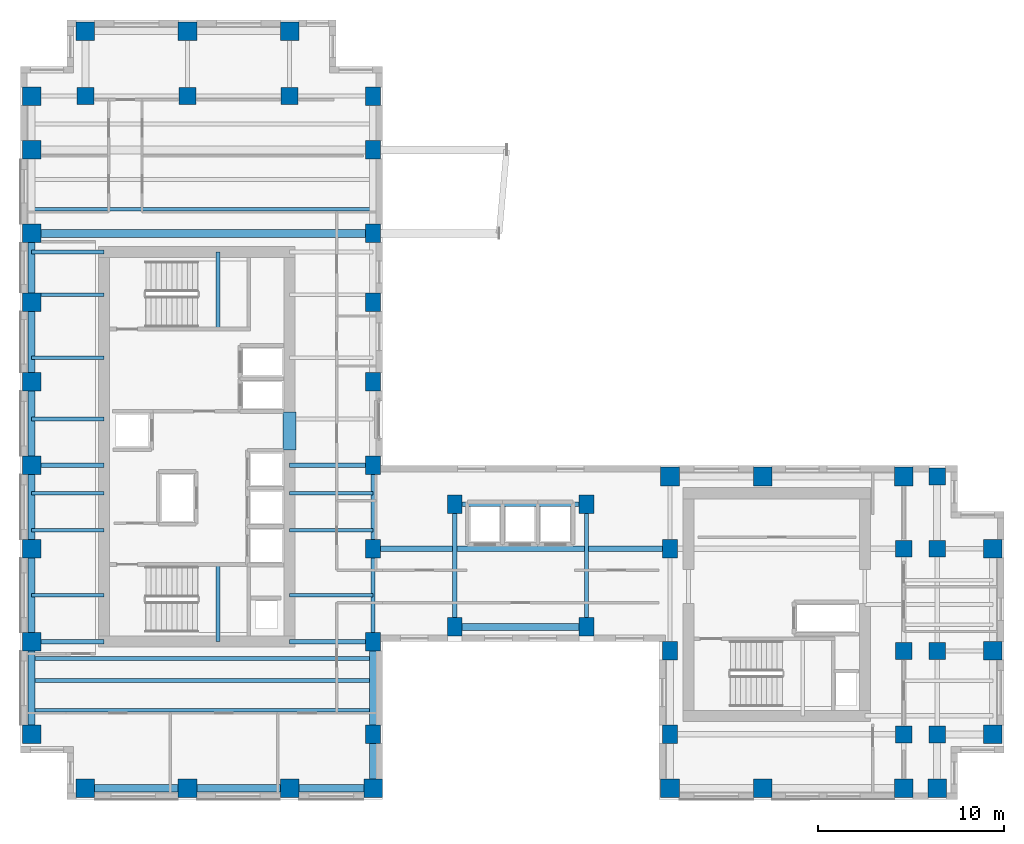
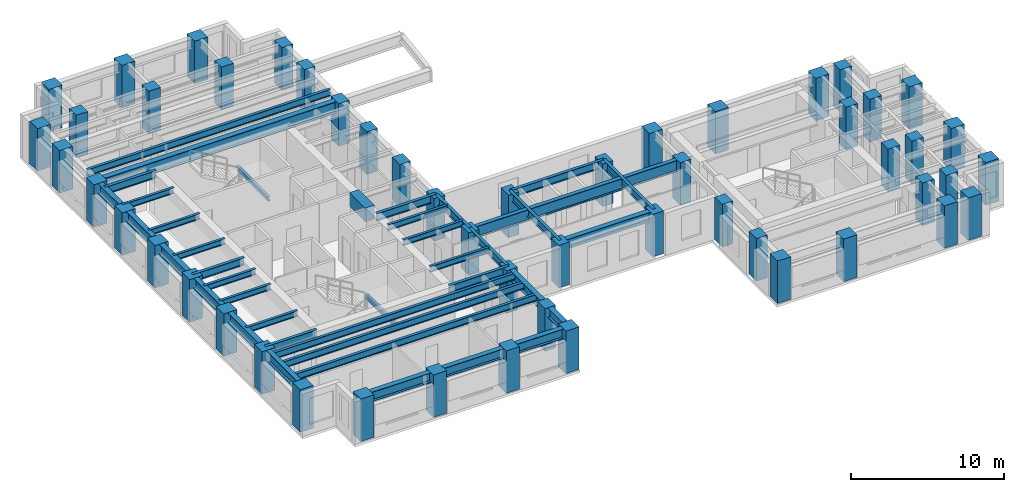
# One storey, part 1 of 14: 52 columns, 40 beams.
"""IFC4 building model written with IfcOpenShell, lengths in metres."""

from ifc_helpers import new_model, si_unit, direction, frame, origin, origin_2d, place, context, subcontext, project, spatial, rectangle, i_section, extrude, source, transform, mapped, material, material_profile, profile_set, type_object, element, save


model = new_model("IFC4")

# Units and contexts
model_context = context("Model", 3, precision=1e-05, world=origin(), true_north=direction((0.0, 1.0)))
body_context = subcontext(model_context, "Body", "Model", "MODEL_VIEW")
ifc_project = project(units=[si_unit("LENGTHUNIT", "METRE"), si_unit("AREAUNIT", "SQUARE_METRE"), si_unit("VOLUMEUNIT", "CUBIC_METRE"), si_unit("PLANEANGLEUNIT", "RADIAN"), si_unit("MASSUNIT", "GRAM", prefix="KILO")], contexts=[model_context])

# Site, building, storey
site_placement = place(None, origin())
site = spatial("IfcSite", under=ifc_project, at=site_placement, CompositionType="ELEMENT")
building_placement = place(site_placement, origin())
building = spatial("IfcBuilding", under=site, at=building_placement, Name="Kharzan Plaza Tower", CompositionType="ELEMENT")
storey_placement = place(building_placement, frame((0.0, 0.0, 168.300048828125)))
storey = spatial("IfcBuildingStorey", under=building, at=storey_placement, Name="L45", CompositionType="ELEMENT", Elevation=168.300048828125)

# Columns
ifc_material_1 = material(Name="Concrete C50/60", Category="concrete")
ifc_material_profile_1 = material_profile(ifc_material_1, rectangle(XDim=0.89990234375, YDim=0.89990234375, at=origin_2d()), Name="RC-IC900x900")
ifc_profile_set_1 = profile_set([ifc_material_profile_1], Name="Concrete C50/60")
column_type_1 = type_object("IfcColumnType", Name="COL-IC900", PredefinedType="COLUMN", material=ifc_profile_set_1)
shared_shape_1 = source(origin(), body_context, "Body", "SweptSolid", [
    extrude(rectangle(XDim=0.89990234375, YDim=0.89990234375, at=origin_2d()), origin(), (0.0, 0.0, 1.0), 3.39990234375),
])
for number, where, z_axis, x_axis, name in (
    (1, (47.60009765625, 13.5, 0.0), (0.0, 0.0, 1.0), (1.0, 0.0, 0.0), "L45 Structural Column TCBI-135"),
    (2, (47.60009765625, 3.5, 0.0), (0.0, 0.0, 1.0), (1.0, 0.0, 0.0), "L45 Structural Column TCBI-35"),
    (3, (47.60009765625, 8.0, 0.0), (0.0, 0.0, 1.0), (1.0, 0.0, 0.0), "L45 Structural Column TCBI-80"),
    (4, (49.39990234375, 13.5, 0.0), (0.0, 0.0, 1.0), (1.0, 0.0, 0.0), "L45 Structural Column TCE-494-135"),
    (5, (49.39990234375, 17.39990234375, 0.0), (0.0, 0.0, 1.0), (1.0, 0.0, 0.0), "L45 Structural Column TCE-494-174"),
    (6, (49.39990234375, 3.5, 0.0), (0.0, 0.0, 1.0), (1.0, 0.0, 0.0), "L45 Structural Column TCE-494-35"),
    (7, (49.39990234375, 8.0, 0.0), (0.0, 0.0, 1.0), (1.0, 0.0, 0.0), "L45 Structural Column TCE-494-80"),
    (8, (14.5, 37.89990234375, 0.0), (0.0, 0.0, 1.0), (1.0, 0.0, 0.0), "L45 Structural Column TCN-145-379"),
    (9, (3.5, 37.89990234375, 0.0), (0.0, 0.0, 1.0), (1.0, 0.0, 0.0), "L45 Structural Column TCN-35-379"),
    (10, (9.0, 37.89990234375, 0.0), (0.0, 0.0, 1.0), (1.0, 0.0, 0.0), "L45 Structural Column TCN-90-379"),
):
    element("IfcColumn", number, at=place(storey_placement, frame(where, z_axis=z_axis, x_axis=x_axis)), inside=storey, type_object=column_type_1, Name=name, PredefinedType="COLUMN", context=body_context, shape_type="MappedRepresentation", body=[
        mapped(shared_shape_1, transform((0.0, 0.0, 0.0), x_axis=(1.0, 0.0, 0.0), y_axis=(0.0, 1.0, 0.0), z_axis=(0.0, 0.0, 1.0))),
    ])
ifc_material_profile_2 = material_profile(ifc_material_1, rectangle(XDim=0.800048828125, YDim=1.0, at=origin_2d()), Name="RC-SC1000x800")
ifc_profile_set_2 = profile_set([ifc_material_profile_2], Name="Concrete C50/60")
column_type_2 = type_object("IfcColumnType", Name="COL-SC1000", PredefinedType="COLUMN", material=ifc_profile_set_2)
shared_shape_2 = source(origin(), body_context, "Body", "SweptSolid", [
    extrude(rectangle(XDim=0.800048828125, YDim=1.0, at=origin_2d()), origin(), (0.0, 0.0, 1.0), 3.39990234375),
])
for number, where, z_axis, x_axis, name in (
    (11, (19.0, 13.5, 0.0), (0.0, 0.0, 1.0), (1.0, 0.0, 0.0), "L45 Structural Column TCA-135"),
    (12, (19.0, 18.0, 0.0), (0.0, 0.0, 1.0), (1.0, 0.0, 0.0), "L45 Structural Column TCA-180"),
    (13, (19.0, 22.5, 0.0), (0.0, 0.0, 1.0), (1.0, 0.0, 0.0), "L45 Structural Column TCA-225"),
    (14, (19.0, 26.800048828125, 0.0), (0.0, 0.0, 1.0), (1.0, 0.0, 0.0), "L45 Structural Column TCA-268"),
    (15, (19.0, 30.5, 0.0), (0.0, 0.0, 1.0), (1.0, 0.0, 0.0), "L45 Structural Column TCA-305"),
    (16, (19.0, 3.5, 0.0), (0.0, 0.0, 1.0), (1.0, 0.0, 0.0), "L45 Structural Column TCA-35"),
    (17, (19.0, 35.0, 0.0), (0.0, 0.0, 1.0), (1.0, 0.0, 0.0), "L45 Structural Column TCA-350"),
    (18, (19.0, 37.89990234375, 0.0), (0.0, 0.0, 1.0), (1.0, 0.0, 0.0), "L45 Structural Column TCA-379"),
    (19, (19.0, 8.5, 0.0), (0.0, 0.0, 1.0), (1.0, 0.0, 0.0), "L45 Structural Column TCA-85"),
    (20, (35.0, 13.5, 0.0), (0.0, 0.0, 1.0), (1.0, 0.0, 0.0), "L45 Structural Column TCBS-135"),
    (21, (35.0, 3.5, 0.0), (0.0, 0.0, 1.0), (1.0, 0.0, 0.0), "L45 Structural Column TCBS-35"),
    (22, (35.0, 8.0, 0.0), (0.0, 0.0, 1.0), (1.0, 0.0, 0.0), "L45 Structural Column TCBS-80"),
    (23, (23.39990234375, 15.89990234375, 0.0), (0.0, 0.0, 1.0), (1.0, 0.0, 0.0), "L45 Structural Column TCSP-234-159"),
    (24, (23.39990234375, 9.300048828125, 0.0), (0.0, 0.0, 1.0), (1.0, 0.0, 0.0), "L45 Structural Column TCSP-234-93"),
    (25, (30.5, 15.89990234375, 0.0), (0.0, 0.0, 1.0), (1.0, 0.0, 0.0), "L45 Structural Column TCSP-305-159"),
    (26, (30.5, 9.300048828125, 0.0), (0.0, 0.0, 1.0), (1.0, 0.0, 0.0), "L45 Structural Column TCSP-305-93"),
):
    element("IfcColumn", number, at=place(storey_placement, frame(where, z_axis=z_axis, x_axis=x_axis)), inside=storey, type_object=column_type_2, Name=name, PredefinedType="COLUMN", context=body_context, shape_type="MappedRepresentation", body=[
        mapped(shared_shape_2, transform((0.0, 0.0, 0.0), x_axis=(1.0, 0.0, 0.0), y_axis=(0.0, 1.0, 0.0), z_axis=(0.0, 0.0, 1.0))),
    ])
ifc_material_profile_3 = material_profile(ifc_material_1, rectangle(XDim=1.0, YDim=1.0, at=origin_2d()), Name="RC-TC1000x1000")
ifc_profile_set_3 = profile_set([ifc_material_profile_3], Name="Concrete C50/60")
column_type_3 = type_object("IfcColumnType", Name="COL-TC1000", PredefinedType="COLUMN", material=ifc_profile_set_3)
shared_shape_3 = source(origin(), body_context, "Body", "SweptSolid", [
    extrude(rectangle(XDim=1.0, YDim=1.0, at=origin_2d()), origin(), (0.0, 0.0, 1.0), 3.39990234375),
])
for number, where, z_axis, x_axis, name in (
    (27, (35.0, 17.39990234375, 0.0), (0.0, 0.0, 1.0), (1.0, 0.0, 0.0), "L45 Structural Column TCBN-350-174"),
    (28, (40.0, 17.39990234375, 0.0), (0.0, 0.0, 1.0), (1.0, 0.0, 0.0), "L45 Structural Column TCBN-400-174"),
    (29, (47.60009765625, 17.39990234375, 0.0), (0.0, 0.0, 1.0), (1.0, 0.0, 0.0), "L45 Structural Column TCBN-476-174"),
    (30, (52.39990234375, 13.5, 0.0), (0.0, 0.0, 1.0), (1.0, 0.0, 0.0), "L45 Structural Column TCE-524-135"),
    (31, (52.39990234375, 3.5, 0.0), (0.0, 0.0, 1.0), (1.0, 0.0, 0.0), "L45 Structural Column TCE-524-35"),
    (32, (52.39990234375, 8.0, 0.0), (0.0, 0.0, 1.0), (1.0, 0.0, 0.0), "L45 Structural Column TCE-524-80"),
    (33, (14.5, 41.39990234375, 0.0), (0.0, 0.0, 1.0), (1.0, 0.0, 0.0), "L45 Structural Column TCN-145-414"),
    (34, (3.5, 41.39990234375, 0.0), (0.0, 0.0, 1.0), (1.0, 0.0, 0.0), "L45 Structural Column TCN-35-414"),
    (35, (9.0, 41.39990234375, 0.0), (0.0, 0.0, 1.0), (1.0, 0.0, 0.0), "L45 Structural Column TCN-90-414"),
    (36, (14.5, 0.60009765625, 0.0), (0.0, 0.0, 1.0), (1.0, 0.0, 0.0), "L45 Structural Column TCS-145"),
    (37, (19.0, 0.60009765625, 0.0), (0.0, 0.0, 1.0), (1.0, 0.0, 0.0), "L45 Structural Column TCS-190"),
    (38, (3.5, 0.60009765625, 0.0), (0.0, 0.0, 1.0), (1.0, 0.0, 0.0), "L45 Structural Column TCS-35"),
    (39, (35.0, 0.60009765625, 0.0), (0.0, 0.0, 1.0), (1.0, 0.0, 0.0), "L45 Structural Column TCS-350"),
    (40, (40.0, 0.60009765625, 0.0), (0.0, 0.0, 1.0), (1.0, 0.0, 0.0), "L45 Structural Column TCS-400"),
    (41, (47.60009765625, 0.60009765625, 0.0), (0.0, 0.0, 1.0), (1.0, 0.0, 0.0), "L45 Structural Column TCS-476"),
    (42, (49.39990234375, 0.60009765625, 0.0), (0.0, 0.0, 1.0), (1.0, 0.0, 0.0), "L45 Structural Column TCS-494"),
    (43, (9.0, 0.60009765625, 0.0), (0.0, 0.0, 1.0), (1.0, 0.0, 0.0), "L45 Structural Column TCS-90"),
    (44, (0.60009765625, 13.5, 0.0), (0.0, 0.0, 1.0), (1.0, 0.0, 0.0), "L45 Structural Column TCW-135"),
    (45, (0.60009765625, 18.0, 0.0), (0.0, 0.0, 1.0), (1.0, 0.0, 0.0), "L45 Structural Column TCW-180"),
    (46, (0.60009765625, 22.5, 0.0), (0.0, 0.0, 1.0), (1.0, 0.0, 0.0), "L45 Structural Column TCW-225"),
    (47, (0.60009765625, 26.800048828125, 0.0), (0.0, 0.0, 1.0), (1.0, 0.0, 0.0), "L45 Structural Column TCW-268"),
    (48, (0.60009765625, 30.5, 0.0), (0.0, 0.0, 1.0), (1.0, 0.0, 0.0), "L45 Structural Column TCW-305"),
    (49, (0.60009765625, 3.5, 0.0), (0.0, 0.0, 1.0), (1.0, 0.0, 0.0), "L45 Structural Column TCW-35"),
    (50, (0.60009765625, 35.0, 0.0), (0.0, 0.0, 1.0), (1.0, 0.0, 0.0), "L45 Structural Column TCW-350"),
    (51, (0.60009765625, 37.89990234375, 0.0), (0.0, 0.0, 1.0), (1.0, 0.0, 0.0), "L45 Structural Column TCW-379"),
    (52, (0.60009765625, 8.5, 0.0), (0.0, 0.0, 1.0), (1.0, 0.0, 0.0), "L45 Structural Column TCW-85"),
):
    element("IfcColumn", number, at=place(storey_placement, frame(where, z_axis=z_axis, x_axis=x_axis)), inside=storey, type_object=column_type_3, Name=name, PredefinedType="COLUMN", context=body_context, shape_type="MappedRepresentation", body=[
        mapped(shared_shape_3, transform((0.0, 0.0, 0.0), x_axis=(1.0, 0.0, 0.0), y_axis=(0.0, 1.0, 0.0), z_axis=(0.0, 0.0, 1.0))),
    ])

# Beams
ifc_material_2 = material(Name="Concrete C60/75", Category="concrete")
ifc_material_profile_4 = material_profile(ifc_material_2, rectangle(XDim=0.699951171875, YDim=1.10009765625, at=origin_2d()), Name="RC-CB1100x700")
ifc_profile_set_4 = profile_set([ifc_material_profile_4], Name="Concrete C60/75")
beam_type_1 = type_object("IfcBeamType", Name="BM-RCCB1100", PredefinedType="LINTEL", material=ifc_profile_set_4)
shared_shape_4 = source(origin(), body_context, "Body", "SweptSolid", [
    extrude(rectangle(XDim=0.699951171875, YDim=1.10009765625, at=origin_2d()), origin(), (0.0, 0.0, 1.0), 2.059814453125),
])
beam_1_placement = place(storey_placement, frame((14.5, 18.820068359375, 2.849853515625), z_axis=(0.0, 1.0, 0.0), x_axis=(-1.0, 0.0, 0.0)))
element("IfcBeam", 53, at=beam_1_placement, inside=storey, type_object=beam_type_1, Name="L45 CORE-A RC coupling beam CB1", PredefinedType="LINTEL", context=body_context, shape_type="MappedRepresentation", body=[
    mapped(shared_shape_4, transform((0.0, 0.0, 0.0), x_axis=(1.0, 0.0, 0.0), y_axis=(0.0, 1.0, 0.0), z_axis=(0.0, 0.0, 1.0))),
])
ifc_material_3 = material(Name="Steel S355", Category="steel")
ifc_material_profile_5 = material_profile(ifc_material_3, i_section(OverallWidth=0.205078125, OverallDepth=0.35400390625, WebThickness=0.009521484375, FlangeThickness=0.016845703125, at=origin_2d()), Name="W360x79")
ifc_profile_set_5 = profile_set([ifc_material_profile_5], Name="Steel S355")
beam_type_2 = type_object("IfcBeamType", Name="BM-LNT360", PredefinedType="LINTEL", material=ifc_profile_set_5)
shared_shape_5 = source(origin(), body_context, "Body", "SweptSolid", [
    extrude(i_section(OverallWidth=0.205078125, OverallDepth=0.35400390625, WebThickness=0.009521484375, FlangeThickness=0.016845703125, at=origin_2d()), origin(), (0.0, 0.0, 1.0), 4.155029296875),
])
for number, where, z_axis, x_axis, name in (
    (54, (10.64990234375, 8.5, 1.4228515625), (0.0, 1.0, 0.0), (-1.0, 0.0, 0.0), "L45 Stair ST-1 Half-Landing Beam"),
    (55, (10.64990234375, 25.344970703125, 1.4228515625), (0.0, 1.0, 0.0), (-1.0, 0.0, 0.0), "L45 Stair ST-2 Half-Landing Beam"),
):
    element("IfcBeam", number, at=place(storey_placement, frame(where, z_axis=z_axis, x_axis=x_axis)), inside=storey, type_object=beam_type_2, Name=name, PredefinedType="LINTEL", context=body_context, shape_type="MappedRepresentation", body=[
        mapped(shared_shape_5, transform((0.0, 0.0, 0.0), x_axis=(1.0, 0.0, 0.0), y_axis=(0.0, 1.0, 0.0), z_axis=(0.0, 0.0, 1.0))),
    ])
ifc_material_profile_6 = material_profile(ifc_material_3, i_section(OverallWidth=0.304931640625, OverallDepth=0.9189453125, WebThickness=0.017333984375, FlangeThickness=0.02783203125, at=origin_2d()), Name="W920x253")
ifc_profile_set_6 = profile_set([ifc_material_profile_6], Name="Steel S355")
beam_type_3 = type_object("IfcBeamType", Name="BM-FG920B", PredefinedType="BEAM", material=ifc_profile_set_6)
shared_shape_6 = source(origin(), body_context, "Body", "SweptSolid", [
    extrude(i_section(OverallWidth=0.304931640625, OverallDepth=0.9189453125, WebThickness=0.017333984375, FlangeThickness=0.02783203125, at=origin_2d()), origin(), (0.0, 0.0, 1.0), 16.0),
])
beam_2_placement = place(storey_placement, frame((19.0, 13.5, 2.9404296875), z_axis=(1.0, 0.0, 0.0), x_axis=(0.0, 1.0, 0.0)))
element("IfcBeam", 56, at=beam_2_placement, inside=storey, type_object=beam_type_3, Name="L45 Primary Floor Girder", PredefinedType="BEAM", context=body_context, shape_type="MappedRepresentation", body=[
    mapped(shared_shape_6, transform((0.0, 0.0, 0.0), x_axis=(1.0, 0.0, 0.0), y_axis=(0.0, 1.0, 0.0), z_axis=(0.0, 0.0, 1.0))),
])
ifc_material_profile_7 = material_profile(ifc_material_3, i_section(OverallWidth=0.2099609375, OverallDepth=0.537109375, WebThickness=0.010986328125, FlangeThickness=0.017333984375, at=origin_2d()), Name="W530x101")
ifc_profile_set_7 = profile_set([ifc_material_profile_7], Name="Steel S355")
beam_type_4 = type_object("IfcBeamType", Name="BM-JST530B", PredefinedType="JOIST", material=ifc_profile_set_7)
shared_shape_7 = source(origin(), body_context, "Body", "SweptSolid", [
    extrude(i_section(OverallWidth=0.2099609375, OverallDepth=0.537109375, WebThickness=0.010986328125, FlangeThickness=0.017333984375, at=origin_2d()), origin(), (0.0, 0.0, 1.0), 18.39990234375),
])
for number, where, z_axis, x_axis, name in (
    (57, (0.60009765625, 4.800048828125, 3.13134765625), (1.0, 0.0, 0.0), (0.0, 1.0, 0.0), "L45 Wing A Composite Joist 01"),
    (58, (0.60009765625, 6.39990234375, 3.13134765625), (1.0, 0.0, 0.0), (0.0, 1.0, 0.0), "L45 Wing A Composite Joist 02"),
    (59, (0.60009765625, 7.60009765625, 3.13134765625), (1.0, 0.0, 0.0), (0.0, 1.0, 0.0), "L45 Wing A Composite Joist 03"),
    (60, (0.60009765625, 31.800048828125, 3.13134765625), (1.0, 0.0, 0.0), (0.0, 1.0, 0.0), "L45 Wing A Composite Joist 04"),
):
    element("IfcBeam", number, at=place(storey_placement, frame(where, z_axis=z_axis, x_axis=x_axis)), inside=storey, type_object=beam_type_4, Name=name, PredefinedType="JOIST", context=body_context, shape_type="MappedRepresentation", body=[
        mapped(shared_shape_7, transform((0.0, 0.0, 0.0), x_axis=(1.0, 0.0, 0.0), y_axis=(0.0, 1.0, 0.0), z_axis=(0.0, 0.0, 1.0))),
    ])
ifc_material_profile_8 = material_profile(ifc_material_3, i_section(OverallWidth=0.194091796875, OverallDepth=0.468994140625, WebThickness=0.011474609375, FlangeThickness=0.0205078125, at=origin_2d()), Name="W460x106")
ifc_profile_set_8 = profile_set([ifc_material_profile_8], Name="Steel S355")
beam_type_5 = type_object("IfcBeamType", Name="BM-JST460", PredefinedType="JOIST", material=ifc_profile_set_8)
shared_shape_8 = source(origin(), body_context, "Body", "SweptSolid", [
    extrude(i_section(OverallWidth=0.194091796875, OverallDepth=0.468994140625, WebThickness=0.011474609375, FlangeThickness=0.0205078125, at=origin_2d()), origin(), (0.0, 0.0, 1.0), 4.5),
])
for number, where, z_axis, x_axis, name in (
    (61, (14.5, 11.0, 3.16552734375), (1.0, 0.0, 0.0), (0.0, 1.0, 0.0), "L45 Wing A East Infill Joist 1"),
    (62, (14.5, 14.5, 3.16552734375), (1.0, 0.0, 0.0), (0.0, 1.0, 0.0), "L45 Wing A East Infill Joist 2"),
    (63, (14.5, 16.5, 3.16552734375), (1.0, 0.0, 0.0), (0.0, 1.0, 0.0), "L45 Wing A East Infill Joist 3"),
):
    element("IfcBeam", number, at=place(storey_placement, frame(where, z_axis=z_axis, x_axis=x_axis)), inside=storey, type_object=beam_type_5, Name=name, PredefinedType="JOIST", context=body_context, shape_type="MappedRepresentation", body=[
        mapped(shared_shape_8, transform((0.0, 0.0, 0.0), x_axis=(1.0, 0.0, 0.0), y_axis=(0.0, 1.0, 0.0), z_axis=(0.0, 0.0, 1.0))),
    ])
shared_shape_9 = source(origin(), body_context, "Body", "SweptSolid", [
    extrude(i_section(OverallWidth=0.194091796875, OverallDepth=0.468994140625, WebThickness=0.011474609375, FlangeThickness=0.0205078125, at=origin_2d()), origin(), (0.0, 0.0, 1.0), 3.89990234375),
])
for number, where, z_axis, x_axis, name in (
    (64, (0.60009765625, 11.0, 3.16552734375), (1.0, 0.0, 0.0), (0.0, 1.0, 0.0), "L45 Wing A West Infill Joist 1"),
    (65, (0.60009765625, 14.5, 3.16552734375), (1.0, 0.0, 0.0), (0.0, 1.0, 0.0), "L45 Wing A West Infill Joist 2"),
    (66, (0.60009765625, 16.5, 3.16552734375), (1.0, 0.0, 0.0), (0.0, 1.0, 0.0), "L45 Wing A West Infill Joist 3"),
    (67, (0.60009765625, 20.5, 3.16552734375), (1.0, 0.0, 0.0), (0.0, 1.0, 0.0), "L45 Wing A West Infill Joist 4"),
    (68, (0.60009765625, 23.800048828125, 3.16552734375), (1.0, 0.0, 0.0), (0.0, 1.0, 0.0), "L45 Wing A West Infill Joist 5"),
    (69, (0.60009765625, 27.199951171875, 3.16552734375), (1.0, 0.0, 0.0), (0.0, 1.0, 0.0), "L45 Wing A West Infill Joist 6"),
):
    element("IfcBeam", number, at=place(storey_placement, frame(where, z_axis=z_axis, x_axis=x_axis)), inside=storey, type_object=beam_type_5, Name=name, PredefinedType="JOIST", context=body_context, shape_type="MappedRepresentation", body=[
        mapped(shared_shape_9, transform((0.0, 0.0, 0.0), x_axis=(1.0, 0.0, 0.0), y_axis=(0.0, 1.0, 0.0), z_axis=(0.0, 0.0, 1.0))),
    ])
ifc_material_profile_9 = material_profile(ifc_material_3, i_section(OverallWidth=0.41796875, OverallDepth=0.93701171875, WebThickness=0.019287109375, FlangeThickness=0.031982421875, at=origin_2d()), Name="W920x342")
ifc_profile_set_9 = profile_set([ifc_material_profile_9], Name="Steel S355")
beam_type_6 = type_object("IfcBeamType", Name="BM-ZTB920", PredefinedType="BEAM", material=ifc_profile_set_9)
shared_shape_10 = source(origin(), body_context, "Body", "SweptSolid", [
    extrude(i_section(OverallWidth=0.41796875, OverallDepth=0.93701171875, WebThickness=0.019287109375, FlangeThickness=0.031982421875, at=origin_2d()), origin(), (0.0, 0.0, 1.0), 18.39990234375),
])
beam_3_placement = place(storey_placement, frame((0.60009765625, 30.5, 2.931396484375), z_axis=(1.0, 0.0, 0.0), x_axis=(0.0, 1.0, 0.0)))
element("IfcBeam", 70, at=beam_3_placement, inside=storey, type_object=beam_type_6, Name="L45 Sky-Terrace Back-Span Girder ZTB1 (L46 G1)", PredefinedType="BEAM", context=body_context, shape_type="MappedRepresentation", body=[
    mapped(shared_shape_10, transform((0.0, 0.0, 0.0), x_axis=(1.0, 0.0, 0.0), y_axis=(0.0, 1.0, 0.0), z_axis=(0.0, 0.0, 1.0))),
])
ifc_material_profile_10 = material_profile(ifc_material_3, i_section(OverallWidth=0.22900390625, OverallDepth=0.612060546875, WebThickness=0.011962890625, FlangeThickness=0.01953125, at=origin_2d()), Name="W610x125")
ifc_profile_set_10 = profile_set([ifc_material_profile_10], Name="Steel S355")
beam_type_7 = type_object("IfcBeamType", Name="BM-FG610B", PredefinedType="BEAM", material=ifc_profile_set_10)
shared_shape_11 = source(origin(), body_context, "Body", "SweptSolid", [
    extrude(i_section(OverallWidth=0.22900390625, OverallDepth=0.612060546875, WebThickness=0.011962890625, FlangeThickness=0.01953125, at=origin_2d()), origin(), (0.0, 0.0, 1.0), 4.5),
])
for number, where, z_axis, x_axis, name in (
    (71, (14.5, 8.5, 3.093994140625), (1.0, 0.0, 0.0), (0.0, 1.0, 0.0), "L45 Core-A East Floor Girder 1"),
    (72, (14.5, 18.0, 3.093994140625), (1.0, 0.0, 0.0), (0.0, 1.0, 0.0), "L45 Core-A East Floor Girder 2"),
    (73, (19.0, 13.5, 3.093994140625), (0.0, 1.0, 0.0), (-1.0, 0.0, 0.0), "L45 Interior Frame Girder"),
):
    element("IfcBeam", number, at=place(storey_placement, frame(where, z_axis=z_axis, x_axis=x_axis)), inside=storey, type_object=beam_type_7, Name=name, PredefinedType="BEAM", context=body_context, shape_type="MappedRepresentation", body=[
        mapped(shared_shape_11, transform((0.0, 0.0, 0.0), x_axis=(1.0, 0.0, 0.0), y_axis=(0.0, 1.0, 0.0), z_axis=(0.0, 0.0, 1.0))),
    ])
shared_shape_12 = source(origin(), body_context, "Body", "SweptSolid", [
    extrude(i_section(OverallWidth=0.22900390625, OverallDepth=0.612060546875, WebThickness=0.011962890625, FlangeThickness=0.01953125, at=origin_2d()), origin(), (0.0, 0.0, 1.0), 3.89990234375),
])
for number, where, z_axis, x_axis, name in (
    (74, (0.60009765625, 8.5, 3.093994140625), (1.0, 0.0, 0.0), (0.0, 1.0, 0.0), "L45 Core-A West Floor Girder 1"),
    (75, (0.60009765625, 18.0, 3.093994140625), (1.0, 0.0, 0.0), (0.0, 1.0, 0.0), "L45 Core-A West Floor Girder 2"),
    (76, (0.60009765625, 29.5, 3.093994140625), (1.0, 0.0, 0.0), (0.0, 1.0, 0.0), "L45 Core-A West Floor Girder 3"),
):
    element("IfcBeam", number, at=place(storey_placement, frame(where, z_axis=z_axis, x_axis=x_axis)), inside=storey, type_object=beam_type_7, Name=name, PredefinedType="BEAM", context=body_context, shape_type="MappedRepresentation", body=[
        mapped(shared_shape_12, transform((0.0, 0.0, 0.0), x_axis=(1.0, 0.0, 0.0), y_axis=(0.0, 1.0, 0.0), z_axis=(0.0, 0.0, 1.0))),
    ])
shared_shape_13 = source(origin(), body_context, "Body", "SweptSolid", [
    extrude(i_section(OverallWidth=0.22900390625, OverallDepth=0.612060546875, WebThickness=0.011962890625, FlangeThickness=0.01953125, at=origin_2d()), origin(), (0.0, 0.0, 1.0), 5.0),
])
beam_4_placement = place(storey_placement, frame((19.0, 8.5, 3.093994140625), z_axis=(0.0, 1.0, 0.0), x_axis=(-1.0, 0.0, 0.0)))
element("IfcBeam", 77, at=beam_4_placement, inside=storey, type_object=beam_type_7, Name="L45 Interior Frame Girder", PredefinedType="BEAM", context=body_context, shape_type="MappedRepresentation", body=[
    mapped(shared_shape_13, transform((0.0, 0.0, 0.0), x_axis=(1.0, 0.0, 0.0), y_axis=(0.0, 1.0, 0.0), z_axis=(0.0, 0.0, 1.0))),
])
shared_shape_14 = source(origin(), body_context, "Body", "SweptSolid", [
    extrude(i_section(OverallWidth=0.22900390625, OverallDepth=0.612060546875, WebThickness=0.011962890625, FlangeThickness=0.01953125, at=origin_2d()), origin(), (0.0, 0.0, 1.0), 6.599853515625),
])
for number, where, z_axis, x_axis, name in (
    (78, (23.39990234375, 9.300048828125, 3.093994140625), (0.0, 1.0, 0.0), (-1.0, 0.0, 0.0), "L45 Interior Frame Girder"),
    (79, (30.5, 9.300048828125, 3.093994140625), (0.0, 1.0, 0.0), (-1.0, 0.0, 0.0), "L45 Interior Frame Girder"),
):
    element("IfcBeam", number, at=place(storey_placement, frame(where, z_axis=z_axis, x_axis=x_axis)), inside=storey, type_object=beam_type_7, Name=name, PredefinedType="BEAM", context=body_context, shape_type="MappedRepresentation", body=[
        mapped(shared_shape_14, transform((0.0, 0.0, 0.0), x_axis=(1.0, 0.0, 0.0), y_axis=(0.0, 1.0, 0.0), z_axis=(0.0, 0.0, 1.0))),
    ])
shared_shape_15 = source(origin(), body_context, "Body", "SweptSolid", [
    extrude(i_section(OverallWidth=0.22900390625, OverallDepth=0.612060546875, WebThickness=0.011962890625, FlangeThickness=0.01953125, at=origin_2d()), origin(), (0.0, 0.0, 1.0), 7.10009765625),
])
beam_5_placement = place(storey_placement, frame((23.39990234375, 15.89990234375, 3.093994140625), z_axis=(1.0, 0.0, 0.0), x_axis=(0.0, 1.0, 0.0)))
element("IfcBeam", 80, at=beam_5_placement, inside=storey, type_object=beam_type_7, Name="L45 Primary Floor Girder", PredefinedType="BEAM", context=body_context, shape_type="MappedRepresentation", body=[
    mapped(shared_shape_15, transform((0.0, 0.0, 0.0), x_axis=(1.0, 0.0, 0.0), y_axis=(0.0, 1.0, 0.0), z_axis=(0.0, 0.0, 1.0))),
])
ifc_material_profile_11 = material_profile(ifc_material_3, i_section(OverallWidth=0.381103515625, OverallDepth=0.77294921875, WebThickness=0.0166015625, FlangeThickness=0.027587890625, at=origin_2d()), Name="W760x257")
ifc_profile_set_11 = profile_set([ifc_material_profile_11], Name="Steel S355")
beam_type_8 = type_object("IfcBeamType", Name="BM-SP760A", PredefinedType="SPANDREL", material=ifc_profile_set_11)
shared_shape_16 = source(origin(), body_context, "Body", "SweptSolid", [
    extrude(i_section(OverallWidth=0.381103515625, OverallDepth=0.77294921875, WebThickness=0.0166015625, FlangeThickness=0.027587890625, at=origin_2d()), origin(), (0.0, 0.0, 1.0), 5.0),
])
for number, where, z_axis, x_axis, name in (
    (81, (0.60009765625, 3.5, 3.013427734375), (0.0, 1.0, 0.0), (-1.0, 0.0, 0.0), "L45 Perimeter Tube Spandrel"),
    (82, (0.60009765625, 8.5, 3.013427734375), (0.0, 1.0, 0.0), (-1.0, 0.0, 0.0), "L45 Perimeter Tube Spandrel"),
    (83, (19.0, 3.5, 3.013427734375), (0.0, 1.0, 0.0), (-1.0, 0.0, 0.0), "L45 Perimeter Tube Spandrel"),
):
    element("IfcBeam", number, at=place(storey_placement, frame(where, z_axis=z_axis, x_axis=x_axis)), inside=storey, type_object=beam_type_8, Name=name, PredefinedType="SPANDREL", context=body_context, shape_type="MappedRepresentation", body=[
        mapped(shared_shape_16, transform((0.0, 0.0, 0.0), x_axis=(1.0, 0.0, 0.0), y_axis=(0.0, 1.0, 0.0), z_axis=(0.0, 0.0, 1.0))),
    ])
shared_shape_17 = source(origin(), body_context, "Body", "SweptSolid", [
    extrude(i_section(OverallWidth=0.381103515625, OverallDepth=0.77294921875, WebThickness=0.0166015625, FlangeThickness=0.027587890625, at=origin_2d()), origin(), (0.0, 0.0, 1.0), 4.5),
])
for number, where, z_axis, x_axis, name in (
    (84, (0.60009765625, 13.5, 3.013427734375), (0.0, 1.0, 0.0), (-1.0, 0.0, 0.0), "L45 Perimeter Tube Spandrel"),
    (85, (0.60009765625, 18.0, 3.013427734375), (0.0, 1.0, 0.0), (-1.0, 0.0, 0.0), "L45 Perimeter Tube Spandrel"),
    (86, (14.5, 0.60009765625, 3.013427734375), (1.0, 0.0, 0.0), (0.0, 1.0, 0.0), "L45 Perimeter Tube Spandrel"),
):
    element("IfcBeam", number, at=place(storey_placement, frame(where, z_axis=z_axis, x_axis=x_axis)), inside=storey, type_object=beam_type_8, Name=name, PredefinedType="SPANDREL", context=body_context, shape_type="MappedRepresentation", body=[
        mapped(shared_shape_17, transform((0.0, 0.0, 0.0), x_axis=(1.0, 0.0, 0.0), y_axis=(0.0, 1.0, 0.0), z_axis=(0.0, 0.0, 1.0))),
    ])
shared_shape_18 = source(origin(), body_context, "Body", "SweptSolid", [
    extrude(i_section(OverallWidth=0.381103515625, OverallDepth=0.77294921875, WebThickness=0.0166015625, FlangeThickness=0.027587890625, at=origin_2d()), origin(), (0.0, 0.0, 1.0), 4.300048828125),
])
beam_6_placement = place(storey_placement, frame((0.60009765625, 22.5, 3.013427734375), z_axis=(0.0, 1.0, 0.0), x_axis=(-1.0, 0.0, 0.0)))
element("IfcBeam", 87, at=beam_6_placement, inside=storey, type_object=beam_type_8, Name="L45 Perimeter Tube Spandrel", PredefinedType="SPANDREL", context=body_context, shape_type="MappedRepresentation", body=[
    mapped(shared_shape_18, transform((0.0, 0.0, 0.0), x_axis=(1.0, 0.0, 0.0), y_axis=(0.0, 1.0, 0.0), z_axis=(0.0, 0.0, 1.0))),
])
shared_shape_19 = source(origin(), body_context, "Body", "SweptSolid", [
    extrude(i_section(OverallWidth=0.381103515625, OverallDepth=0.77294921875, WebThickness=0.0166015625, FlangeThickness=0.027587890625, at=origin_2d()), origin(), (0.0, 0.0, 1.0), 3.699951171875),
])
beam_7_placement = place(storey_placement, frame((0.60009765625, 26.800048828125, 3.013427734375), z_axis=(0.0, 1.0, 0.0), x_axis=(-1.0, 0.0, 0.0)))
element("IfcBeam", 88, at=beam_7_placement, inside=storey, type_object=beam_type_8, Name="L45 Perimeter Tube Spandrel", PredefinedType="SPANDREL", context=body_context, shape_type="MappedRepresentation", body=[
    mapped(shared_shape_19, transform((0.0, 0.0, 0.0), x_axis=(1.0, 0.0, 0.0), y_axis=(0.0, 1.0, 0.0), z_axis=(0.0, 0.0, 1.0))),
])
shared_shape_20 = source(origin(), body_context, "Body", "SweptSolid", [
    extrude(i_section(OverallWidth=0.381103515625, OverallDepth=0.77294921875, WebThickness=0.0166015625, FlangeThickness=0.027587890625, at=origin_2d()), origin(), (0.0, 0.0, 1.0), 2.89990234375),
])
beam_8_placement = place(storey_placement, frame((19.0, 0.60009765625, 3.013427734375), z_axis=(0.0, 1.0, 0.0), x_axis=(-1.0, 0.0, 0.0)))
element("IfcBeam", 89, at=beam_8_placement, inside=storey, type_object=beam_type_8, Name="L45 Perimeter Tube Spandrel", PredefinedType="SPANDREL", context=body_context, shape_type="MappedRepresentation", body=[
    mapped(shared_shape_20, transform((0.0, 0.0, 0.0), x_axis=(1.0, 0.0, 0.0), y_axis=(0.0, 1.0, 0.0), z_axis=(0.0, 0.0, 1.0))),
])
shared_shape_21 = source(origin(), body_context, "Body", "SweptSolid", [
    extrude(i_section(OverallWidth=0.381103515625, OverallDepth=0.77294921875, WebThickness=0.0166015625, FlangeThickness=0.027587890625, at=origin_2d()), origin(), (0.0, 0.0, 1.0), 5.5),
])
for number, where, z_axis, x_axis, name in (
    (90, (3.5, 0.60009765625, 3.013427734375), (1.0, 0.0, 0.0), (0.0, 1.0, 0.0), "L45 Perimeter Tube Spandrel"),
    (91, (9.0, 0.60009765625, 3.013427734375), (1.0, 0.0, 0.0), (0.0, 1.0, 0.0), "L45 Perimeter Tube Spandrel"),
):
    element("IfcBeam", number, at=place(storey_placement, frame(where, z_axis=z_axis, x_axis=x_axis)), inside=storey, type_object=beam_type_8, Name=name, PredefinedType="SPANDREL", context=body_context, shape_type="MappedRepresentation", body=[
        mapped(shared_shape_21, transform((0.0, 0.0, 0.0), x_axis=(1.0, 0.0, 0.0), y_axis=(0.0, 1.0, 0.0), z_axis=(0.0, 0.0, 1.0))),
    ])
shared_shape_22 = source(origin(), body_context, "Body", "SweptSolid", [
    extrude(i_section(OverallWidth=0.381103515625, OverallDepth=0.77294921875, WebThickness=0.0166015625, FlangeThickness=0.027587890625, at=origin_2d()), origin(), (0.0, 0.0, 1.0), 7.10009765625),
])
beam_9_placement = place(storey_placement, frame((23.39990234375, 9.300048828125, 3.013427734375), z_axis=(1.0, 0.0, 0.0), x_axis=(0.0, 1.0, 0.0)))
element("IfcBeam", 92, at=beam_9_placement, inside=storey, type_object=beam_type_8, Name="L45 Perimeter Tube Spandrel", PredefinedType="SPANDREL", context=body_context, shape_type="MappedRepresentation", body=[
    mapped(shared_shape_22, transform((0.0, 0.0, 0.0), x_axis=(1.0, 0.0, 0.0), y_axis=(0.0, 1.0, 0.0), z_axis=(0.0, 0.0, 1.0))),
])

save(model, "model.ifc")
